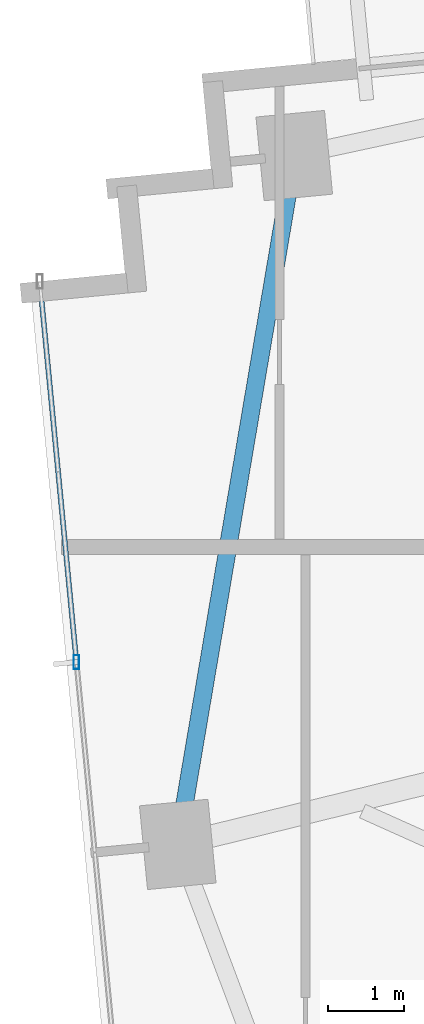
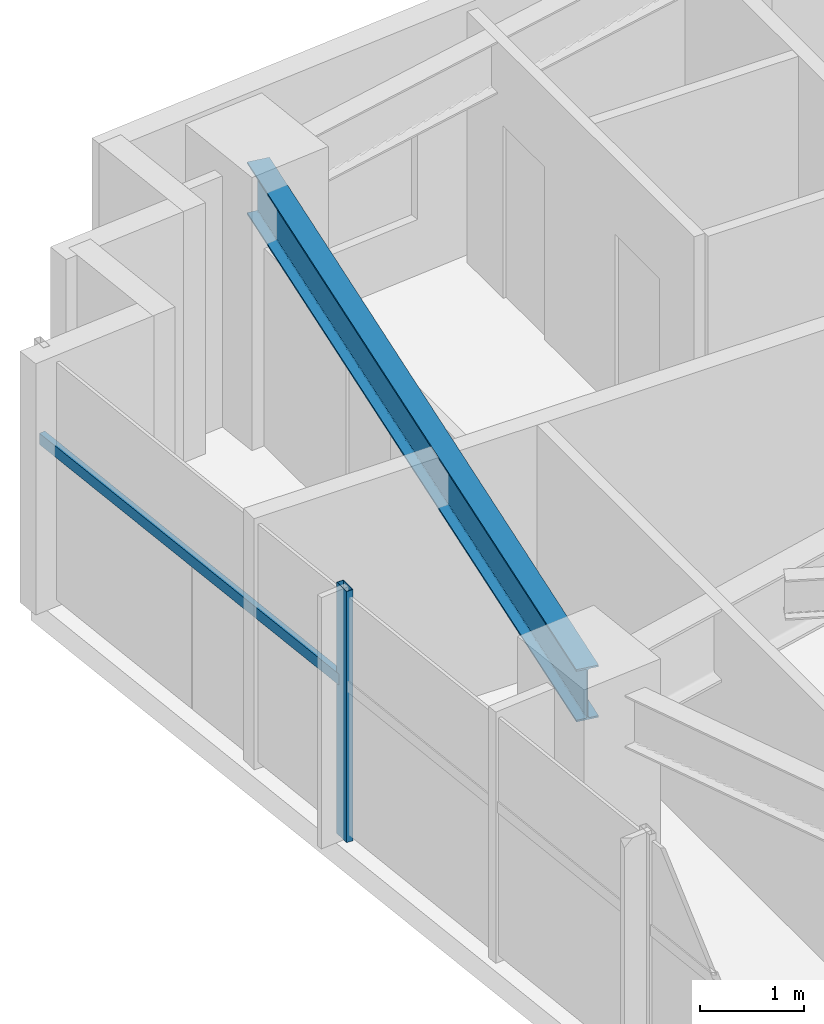
# One storey, part 4 of 27: 2 members, 1 beam, 1 element without a shape of its own.
"""IFC4 building model written with IfcOpenShell, lengths in metres."""

from ifc_helpers import new_model, si_unit, direction, frame, origin, origin_2d, place, context, subcontext, project, spatial, hollow_rectangle, i_section, extrude, source, transform, mapped, material, material_profile, profile_set, type_object, type_shapes, element, aggregate, save


model = new_model("IFC4")

# Units and contexts
model_context = context("Model", 3, precision=1e-05, world=origin(), true_north=direction((0.0, 1.0)))
body_context = subcontext(model_context, "Body", "Model", "MODEL_VIEW")
ifc_project = project(units=[si_unit("LENGTHUNIT", "METRE"), si_unit("AREAUNIT", "SQUARE_METRE"), si_unit("VOLUMEUNIT", "CUBIC_METRE"), si_unit("PLANEANGLEUNIT", "RADIAN"), si_unit("MASSUNIT", "GRAM", prefix="KILO")], contexts=[model_context])

# Site, building, storey
site_placement = place(None, origin())
site = spatial("IfcSite", under=ifc_project, at=site_placement, CompositionType="ELEMENT")
building_placement = place(site_placement, origin())
building = spatial("IfcBuilding", under=site, at=building_placement, Name="Astriad Promenade Condominiums", CompositionType="ELEMENT")
storey_placement = place(building_placement, frame((0.0, 0.0, 84.199951171875)))
storey = spatial("IfcBuildingStorey", under=building, at=storey_placement, Name="L23", CompositionType="ELEMENT", Elevation=84.199951171875)

# Beam
ifc_material_1 = material(Name="Steel ASTM A992 Grade 50", Category="steel")
ifc_material_profile_1 = material_profile(ifc_material_1, i_section(OverallWidth=0.22900390625, OverallDepth=0.612060546875, WebThickness=0.011962890625, FlangeThickness=0.01953125, FilletRadius=0.017822265625, at=origin_2d()), Name="W24X84")
ifc_profile_set_1 = profile_set([ifc_material_profile_1], Name="Steel ASTM A992 Grade 50")
beam_type = type_object("IfcBeamType", Name="STEEL SPANDREL BEAM W24X84", PredefinedType="SPANDREL", material=ifc_profile_set_1)
shared_shape_1 = source(origin(), body_context, "Body", "SweptSolid", [
    extrude(i_section(OverallWidth=0.22900390625, OverallDepth=0.612060546875, WebThickness=0.011962890625, FlangeThickness=0.01953125, FilletRadius=0.017822265625, at=origin_2d()), origin(), (0.0, 0.0, 1.0), 9.055419921875),
])
type_shapes(beam_type, [shared_shape_1])
beam_placement = place(storey_placement, frame((12.2685546875, 22.52880859375, 2.634033203125), z_axis=(-0.166776851291, -0.98599466625, 0.0), x_axis=(0.98599466625, -0.166776851291, 0.0)))
element("IfcBeam", 1, at=beam_placement, inside=storey, type_object=beam_type, Name="Perimeter Spandrel Beam SP-W2-L23", PredefinedType="SPANDREL", context=body_context, shape_type="MappedRepresentation", body=[
    mapped(shared_shape_1, transform((0.0, 0.0, 0.0), scale=1.0)),
])

# Curtain wall, members
ifc_material_2 = material(Name="Anodised aluminium Black Dark Glass Unitised", Category="aluminium")
curtain_wall_type = type_object("IfcCurtainWallType", Name="CW-B2-DARK", PredefinedType="USERDEFINED", material=ifc_material_2)
curtain_wall_placement = place(storey_placement, origin())
curtain_wall = element("IfcCurtainWall", 2, at=curtain_wall_placement, inside=storey, type_object=curtain_wall_type, Name="CW-L23-W", ObjectType="UNITISED_CURTAIN_WALL", PredefinedType="USERDEFINED")
ifc_material_3 = material(Name="Anodised aluminium 6063-T6 Black", Category="aluminium")
ifc_material_profile_2 = material_profile(ifc_material_3, hollow_rectangle(XDim=0.074951171875, YDim=0.18505859375, WallThickness=0.00439453125, at=origin_2d()), Name="ALU-MUL-75X185")
ifc_profile_set_2 = profile_set([ifc_material_profile_2], Name="Anodised aluminium 6063-T6 Black")
member_type_1 = type_object("IfcMemberType", Name="MUL-ALU-MUL-75X185", PredefinedType="MULLION", material=ifc_profile_set_2)
shared_shape_2 = source(origin(), body_context, "Body", "SweptSolid", [
    extrude(hollow_rectangle(XDim=0.074951171875, YDim=0.18505859375, WallThickness=0.00439453125, at=origin_2d()), origin(), (0.0, 0.0, 1.0), 2.93994140625),
])
type_shapes(member_type_1, [shared_shape_2])
member_1_placement = place(storey_placement, frame((9.427001953125, 15.94482421875, 0.0), z_axis=(0.0, 0.0, 1.0), x_axis=(1.0, 0.0, 0.0)))
member_1 = element("IfcMember", 3, at=member_1_placement, type_object=member_type_1, Name="CW-L23-W-MUL-02", PredefinedType="MULLION", context=body_context, shape_type="MappedRepresentation", body=[
    mapped(shared_shape_2, transform((0.0, 0.0, 0.0), scale=1.0)),
])
ifc_material_profile_3 = material_profile(ifc_material_3, hollow_rectangle(XDim=0.06494140625, YDim=0.1298828125, WallThickness=0.00390625, at=origin_2d()), Name="ALU-TRN-65X130")
ifc_profile_set_3 = profile_set([ifc_material_profile_3], Name="Anodised aluminium 6063-T6 Black")
member_type_2 = type_object("IfcMemberType", Name="TRN-ALU-TRN-65X130", PredefinedType="USERDEFINED", material=ifc_profile_set_3)
shared_shape_3 = source(origin(), body_context, "Body", "SweptSolid", [
    extrude(hollow_rectangle(XDim=0.06494140625, YDim=0.1298828125, WallThickness=0.00390625, at=origin_2d()), origin(), (0.0, 0.0, 1.0), 5.0),
])
type_shapes(member_type_2, [shared_shape_3])
member_2_placement = place(storey_placement, frame((9.427001953125, 15.94482421875, 1.82275390625), z_axis=(-0.095848242264, 0.995395958629, 0.0), x_axis=(-0.995395958629, -0.095848242264, 0.0)))
member_2 = element("IfcMember", 4, at=member_2_placement, type_object=member_type_2, Name="CW-L23-W-TRN-02-0", ObjectType="TRANSOM", PredefinedType="USERDEFINED", context=body_context, shape_type="MappedRepresentation", body=[
    mapped(shared_shape_3, transform((0.0, 0.0, 0.0), scale=1.0)),
])
aggregate(curtain_wall, [member_1, member_2])

save(model, "model.ifc")
